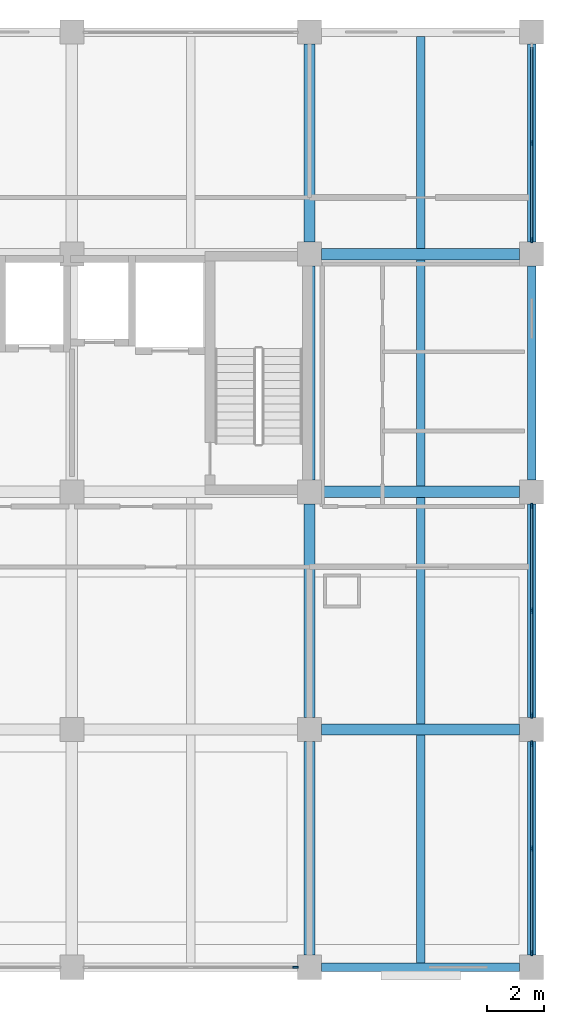
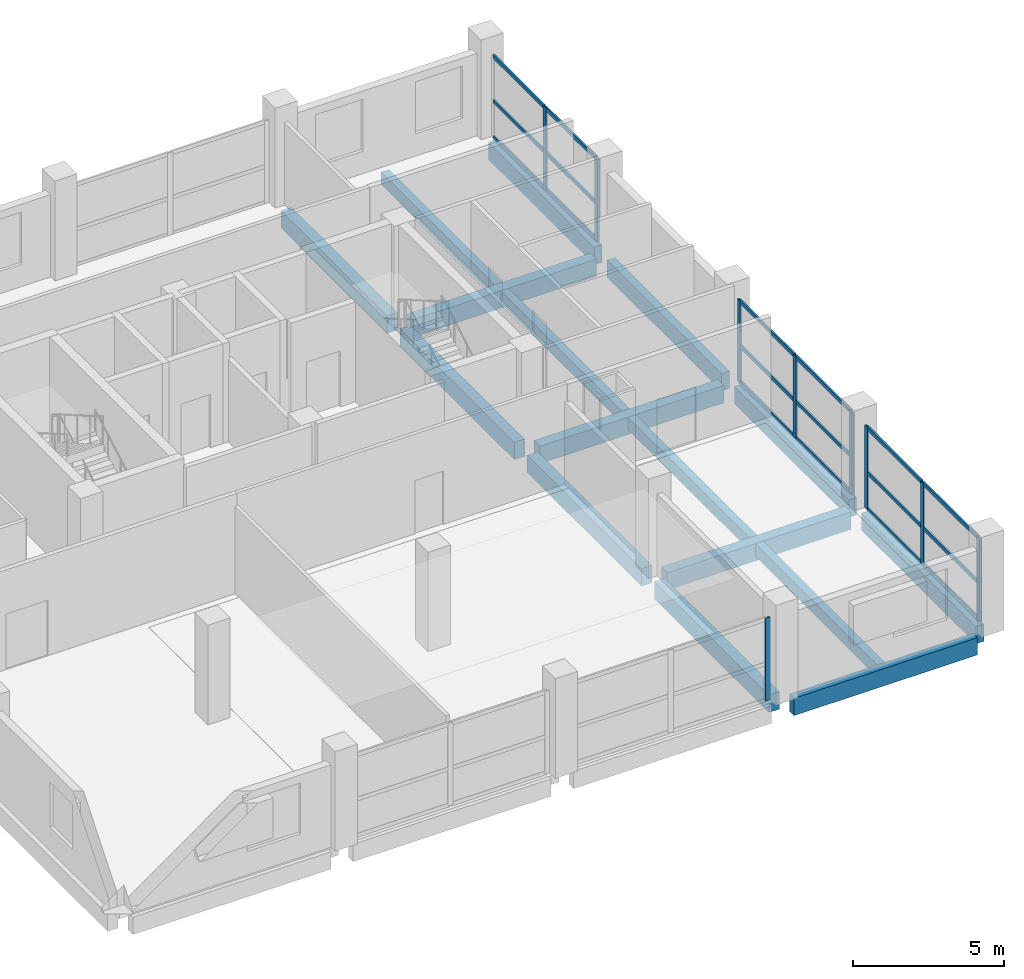
# One storey, part 4 of 9: 27 members, 16 beams, 4 elements without a shape of their own.
"""IFC4 building model written with IfcOpenShell, lengths in metres."""

from ifc_helpers import new_model, si_unit, direction, frame, origin, origin_2d, place, context, subcontext, project, spatial, rectangle, extrude, material, material_profile, profile_set, type_object, element, aggregate, save


model = new_model("IFC4")

# Units and contexts
model_context = context("Model", 3, precision=1e-05, world=origin(), true_north=direction((0.0, 1.0)))
body_context = subcontext(model_context, "Body", "Model", "MODEL_VIEW")
ifc_project = project(units=[si_unit("LENGTHUNIT", "METRE"), si_unit("AREAUNIT", "SQUARE_METRE"), si_unit("VOLUMEUNIT", "CUBIC_METRE"), si_unit("PLANEANGLEUNIT", "RADIAN"), si_unit("MASSUNIT", "GRAM", prefix="KILO")], contexts=[model_context])

# Site, building, storey
site_placement = place(None, origin())
site = spatial("IfcSite", under=ifc_project, at=site_placement, CompositionType="ELEMENT")
building_placement = place(site_placement, origin())
building = spatial("IfcBuilding", under=site, at=building_placement, Name="Brinegate Botanical Conservatory", CompositionType="ELEMENT")
storey_placement = place(building_placement, frame((0.0, 0.0, 31.800048828125)))
storey = spatial("IfcBuildingStorey", under=building, at=storey_placement, Name="L08", CompositionType="ELEMENT", Elevation=31.800048828125)

# Beams
ifc_material_1 = material(Name="Concrete C40/50", Category="concrete")
ifc_material_profile_1 = material_profile(ifc_material_1, rectangle(XDim=0.39990234375, YDim=0.699951171875, at=origin_2d()), Name="RC BM 400x700")
ifc_profile_set_1 = profile_set([ifc_material_profile_1], Name="Concrete C40/50")
beam_type_1 = type_object("IfcBeamType", Name="Beam_BM-T2", PredefinedType="BEAM", material=ifc_profile_set_1)
for number, where, z_axis, x_axis, name in (
    (1, (156.02490234375, 86.800048828125, -0.530029296875), (1.0, 0.0, 0.0), (0.0, 1.0, 0.0), "Beam BM-T2 L08 L:20-21"),
    (2, (156.02490234375, 95.199951171875, -0.530029296875), (1.0, 0.0, 0.0), (0.0, 1.0, 0.0), "Beam BM-T2 L08 M:20-21"),
    (3, (156.02490234375, 103.60009765625, -0.530029296875), (1.0, 0.0, 0.0), (0.0, 1.0, 0.0), "Beam BM-T2 L08 N:20-21"),
):
    element("IfcBeam", number, at=place(storey_placement, frame(where, z_axis=z_axis, x_axis=x_axis)), inside=storey, type_object=beam_type_1, Name=name, PredefinedType="BEAM", context=body_context, shape_type="SweptSolid", body=[
        extrude(rectangle(XDim=0.39990234375, YDim=0.699951171875, at=origin_2d()), origin(), (0.0, 0.0, 1.0), 7.0),
    ])
beam_1_placement = place(storey_placement, frame((155.60009765625, 78.824951171875, -0.530029296875), z_axis=(0.0, 1.0, 0.0), x_axis=(-1.0, 0.0, 0.0)))
element("IfcBeam", 4, at=beam_1_placement, inside=storey, type_object=beam_type_1, Name="Beam BM-T2 L08 20:K-L", PredefinedType="BEAM", context=body_context, shape_type="SweptSolid", body=[
    extrude(rectangle(XDim=0.39990234375, YDim=0.699951171875, at=origin_2d()), origin(), (0.0, 0.0, 1.0), 7.550048828125),
])
beam_2_placement = place(storey_placement, frame((155.60009765625, 87.22509765625, -0.530029296875), z_axis=(0.0, 1.0, 0.0), x_axis=(-1.0, 0.0, 0.0)))
element("IfcBeam", 5, at=beam_2_placement, inside=storey, type_object=beam_type_1, Name="Beam BM-T2 L08 20:L-M", PredefinedType="BEAM", context=body_context, shape_type="SweptSolid", body=[
    extrude(rectangle(XDim=0.39990234375, YDim=0.699951171875, at=origin_2d()), origin(), (0.0, 0.0, 1.0), 7.5498046875),
])
beam_3_placement = place(storey_placement, frame((155.60009765625, 95.625, -0.530029296875), z_axis=(0.0, 1.0, 0.0), x_axis=(-1.0, 0.0, 0.0)))
element("IfcBeam", 6, at=beam_3_placement, inside=storey, type_object=beam_type_1, Name="Beam BM-T2 L08 20:M-N", PredefinedType="BEAM", context=body_context, shape_type="SweptSolid", body=[
    extrude(rectangle(XDim=0.39990234375, YDim=0.699951171875, at=origin_2d()), origin(), (0.0, 0.0, 1.0), 7.550048828125),
])
beam_4_placement = place(storey_placement, frame((155.60009765625, 104.02490234375, -0.530029296875), z_axis=(0.0, 1.0, 0.0), x_axis=(-1.0, 0.0, 0.0)))
element("IfcBeam", 7, at=beam_4_placement, inside=storey, type_object=beam_type_1, Name="Beam BM-T2 L08 20:N-P", PredefinedType="BEAM", context=body_context, shape_type="SweptSolid", body=[
    extrude(rectangle(XDim=0.39990234375, YDim=0.699951171875, at=origin_2d()), origin(), (0.0, 0.0, 1.0), 7.0),
])
ifc_material_profile_2 = material_profile(ifc_material_1, rectangle(XDim=0.300048828125, YDim=0.5, at=origin_2d()), Name="RC JST 300x500")
ifc_profile_set_2 = profile_set([ifc_material_profile_2], Name="Concrete C40/50")
beam_type_2 = type_object("IfcBeamType", Name="Beam_JS-C2", PredefinedType="JOIST", material=ifc_profile_set_2)
beam_5_placement = place(storey_placement, frame((159.52490234375, 78.550048828125, -0.429931640625), z_axis=(0.0, 1.0, 0.0), x_axis=(-1.0, 0.0, 0.0)))
element("IfcBeam", 8, at=beam_5_placement, inside=storey, type_object=beam_type_2, Name="Floor joist JS-C2 L08 bay 20.10", PredefinedType="JOIST", context=body_context, shape_type="SweptSolid", body=[
    extrude(rectangle(XDim=0.300048828125, YDim=0.5, at=origin_2d()), origin(), (0.0, 0.0, 1.0), 8.050048828125),
])
for number, where, z_axis, x_axis, name in (
    (9, (159.52490234375, 87.0, -0.429931640625), (0.0, 1.0, 0.0), (-1.0, 0.0, 0.0), "Floor joist JS-C2 L08 bay 20.11"),
    (10, (159.52490234375, 95.39990234375, -0.429931640625), (0.0, 1.0, 0.0), (-1.0, 0.0, 0.0), "Floor joist JS-C2 L08 bay 20.12"),
):
    element("IfcBeam", number, at=place(storey_placement, frame(where, z_axis=z_axis, x_axis=x_axis)), inside=storey, type_object=beam_type_2, Name=name, PredefinedType="JOIST", context=body_context, shape_type="SweptSolid", body=[
        extrude(rectangle(XDim=0.300048828125, YDim=0.5, at=origin_2d()), origin(), (0.0, 0.0, 1.0), 8.0),
    ])
beam_6_placement = place(storey_placement, frame((159.52490234375, 103.800048828125, -0.429931640625), z_axis=(0.0, 1.0, 0.0), x_axis=(-1.0, 0.0, 0.0)))
element("IfcBeam", 11, at=beam_6_placement, inside=storey, type_object=beam_type_2, Name="Floor joist JS-C2 L08 bay 20.13", PredefinedType="JOIST", context=body_context, shape_type="SweptSolid", body=[
    extrude(rectangle(XDim=0.300048828125, YDim=0.5, at=origin_2d()), origin(), (0.0, 0.0, 1.0), 7.5),
])
ifc_material_profile_3 = material_profile(ifc_material_1, rectangle(XDim=0.300048828125, YDim=0.699951171875, at=origin_2d()), Name="RC SPN 300x700")
ifc_profile_set_3 = profile_set([ifc_material_profile_3], Name="Concrete C40/50")
beam_type_3 = type_object("IfcBeamType", Name="Beam_SP-02", PredefinedType="SPANDREL", material=ifc_profile_set_3)
beam_7_placement = place(storey_placement, frame((156.02490234375, 78.39990234375, -0.530029296875), z_axis=(1.0, 0.0, 0.0), x_axis=(0.0, 1.0, 0.0)))
element("IfcBeam", 12, at=beam_7_placement, inside=storey, type_object=beam_type_3, Name="Beam SP-02 L08 K:20-21", PredefinedType="SPANDREL", context=body_context, shape_type="SweptSolid", body=[
    extrude(rectangle(XDim=0.300048828125, YDim=0.699951171875, at=origin_2d()), origin(), (0.0, 0.0, 1.0), 7.0),
])
beam_8_placement = place(storey_placement, frame((163.449951171875, 78.824951171875, -0.530029296875), z_axis=(0.0, 1.0, 0.0), x_axis=(-1.0, 0.0, 0.0)))
element("IfcBeam", 13, at=beam_8_placement, inside=storey, type_object=beam_type_3, Name="Beam SP-02 L08 21:K-L", PredefinedType="SPANDREL", context=body_context, shape_type="SweptSolid", body=[
    extrude(rectangle(XDim=0.300048828125, YDim=0.699951171875, at=origin_2d()), origin(), (0.0, 0.0, 1.0), 7.550048828125),
])
beam_9_placement = place(storey_placement, frame((163.449951171875, 87.22509765625, -0.530029296875), z_axis=(0.0, 1.0, 0.0), x_axis=(-1.0, 0.0, 0.0)))
element("IfcBeam", 14, at=beam_9_placement, inside=storey, type_object=beam_type_3, Name="Beam SP-02 L08 21:L-M", PredefinedType="SPANDREL", context=body_context, shape_type="SweptSolid", body=[
    extrude(rectangle(XDim=0.300048828125, YDim=0.699951171875, at=origin_2d()), origin(), (0.0, 0.0, 1.0), 7.5498046875),
])
beam_10_placement = place(storey_placement, frame((163.449951171875, 95.625, -0.530029296875), z_axis=(0.0, 1.0, 0.0), x_axis=(-1.0, 0.0, 0.0)))
element("IfcBeam", 15, at=beam_10_placement, inside=storey, type_object=beam_type_3, Name="Beam SP-02 L08 21:M-N", PredefinedType="SPANDREL", context=body_context, shape_type="SweptSolid", body=[
    extrude(rectangle(XDim=0.300048828125, YDim=0.699951171875, at=origin_2d()), origin(), (0.0, 0.0, 1.0), 7.550048828125),
])
beam_11_placement = place(storey_placement, frame((163.449951171875, 104.02490234375, -0.530029296875), z_axis=(0.0, 1.0, 0.0), x_axis=(-1.0, 0.0, 0.0)))
element("IfcBeam", 16, at=beam_11_placement, inside=storey, type_object=beam_type_3, Name="Beam SP-02 L08 21:N-P", PredefinedType="SPANDREL", context=body_context, shape_type="SweptSolid", body=[
    extrude(rectangle(XDim=0.300048828125, YDim=0.699951171875, at=origin_2d()), origin(), (0.0, 0.0, 1.0), 7.0),
])

# Curtain wall, member
ifc_material_2 = material(Name="Thermally broken anodised aluminium AW-6063-T6", Category="aluminium")
curtain_wall_type = type_object("IfcCurtainWallType", Name="CW_CW-TW1", PredefinedType="USERDEFINED", material=ifc_material_2)
curtain_wall_1_placement = place(storey_placement, origin())
curtain_wall_1 = element("IfcCurtainWall", 17, at=curtain_wall_1_placement, inside=storey, type_object=curtain_wall_type, Name="Tower south curtain wall L08.3", ObjectType="FACTORY CURTAIN WALL", PredefinedType="USERDEFINED")
ifc_material_profile_4 = material_profile(ifc_material_2, rectangle(XDim=0.070068359375, YDim=0.199951171875, at=origin_2d()), Name="ALUM MULLION 70x200")
ifc_profile_set_4 = profile_set([ifc_material_profile_4], Name="Thermally broken anodised aluminium AW-6063-T6")
member_type_1 = type_object("IfcMemberType", Name="Member_ML-03", PredefinedType="MULLION", material=ifc_profile_set_4)
member_1_placement = place(storey_placement, frame((155.10009765625, 78.39990234375, 0.0), z_axis=(0.0, 0.0, 1.0), x_axis=(0.0, -1.0, 0.0)))
member_1 = element("IfcMember", 18, at=member_1_placement, type_object=member_type_1, Name="CW-TW1 mullion 1", PredefinedType="MULLION", context=body_context, shape_type="SweptSolid", body=[
    extrude(rectangle(XDim=0.070068359375, YDim=0.199951171875, at=origin_2d()), origin(), (0.0, 0.0, 1.0), 3.320068359375),
])
aggregate(curtain_wall_1, [member_1])

# Curtain wall, members
curtain_wall_2_placement = place(storey_placement, origin())
curtain_wall_2 = element("IfcCurtainWall", 19, at=curtain_wall_2_placement, inside=storey, type_object=curtain_wall_type, Name="Tower east curtain wall L08.1", ObjectType="FACTORY CURTAIN WALL", PredefinedType="USERDEFINED")
member_2_placement = place(storey_placement, frame((163.449951171875, 86.300048828125, 0.0), z_axis=(0.0, 0.0, 1.0), x_axis=(1.0, 0.0, 0.0)))
member_2 = element("IfcMember", 20, at=member_2_placement, type_object=member_type_1, Name="CW-TW1 mullion 1", PredefinedType="MULLION", context=body_context, shape_type="SweptSolid", body=[
    extrude(rectangle(XDim=0.070068359375, YDim=0.199951171875, at=origin_2d()), origin(), (0.0, 0.0, 1.0), 3.320068359375),
])
member_3_placement = place(storey_placement, frame((163.449951171875, 82.60009765625, 0.0), z_axis=(0.0, 0.0, 1.0), x_axis=(1.0, 0.0, 0.0)))
member_3 = element("IfcMember", 21, at=member_3_placement, type_object=member_type_1, Name="CW-TW1 mullion 2", PredefinedType="MULLION", context=body_context, shape_type="SweptSolid", body=[
    extrude(rectangle(XDim=0.070068359375, YDim=0.199951171875, at=origin_2d()), origin(), (0.0, 0.0, 1.0), 3.320068359375),
])
member_4_placement = place(storey_placement, frame((163.449951171875, 78.89990234375, 0.0), z_axis=(0.0, 0.0, 1.0), x_axis=(1.0, 0.0, 0.0)))
member_4 = element("IfcMember", 22, at=member_4_placement, type_object=member_type_1, Name="CW-TW1 mullion 3", PredefinedType="MULLION", context=body_context, shape_type="SweptSolid", body=[
    extrude(rectangle(XDim=0.070068359375, YDim=0.199951171875, at=origin_2d()), origin(), (0.0, 0.0, 1.0), 3.320068359375),
])

curtain_wall_3_placement = place(storey_placement, origin())
curtain_wall_3 = element("IfcCurtainWall", 23, at=curtain_wall_3_placement, inside=storey, type_object=curtain_wall_type, Name="Tower east curtain wall L08.2", ObjectType="FACTORY CURTAIN WALL", PredefinedType="USERDEFINED")
member_5_placement = place(storey_placement, frame((163.449951171875, 94.699951171875, 0.0), z_axis=(0.0, 0.0, 1.0), x_axis=(1.0, 0.0, 0.0)))
member_5 = element("IfcMember", 24, at=member_5_placement, type_object=member_type_1, Name="CW-TW1 mullion 1", PredefinedType="MULLION", context=body_context, shape_type="SweptSolid", body=[
    extrude(rectangle(XDim=0.070068359375, YDim=0.199951171875, at=origin_2d()), origin(), (0.0, 0.0, 1.0), 3.320068359375),
])
member_6_placement = place(storey_placement, frame((163.449951171875, 91.0, 0.0), z_axis=(0.0, 0.0, 1.0), x_axis=(1.0, 0.0, 0.0)))
member_6 = element("IfcMember", 25, at=member_6_placement, type_object=member_type_1, Name="CW-TW1 mullion 2", PredefinedType="MULLION", context=body_context, shape_type="SweptSolid", body=[
    extrude(rectangle(XDim=0.070068359375, YDim=0.199951171875, at=origin_2d()), origin(), (0.0, 0.0, 1.0), 3.320068359375),
])
member_7_placement = place(storey_placement, frame((163.449951171875, 87.300048828125, 0.0), z_axis=(0.0, 0.0, 1.0), x_axis=(1.0, 0.0, 0.0)))
member_7 = element("IfcMember", 26, at=member_7_placement, type_object=member_type_1, Name="CW-TW1 mullion 3", PredefinedType="MULLION", context=body_context, shape_type="SweptSolid", body=[
    extrude(rectangle(XDim=0.070068359375, YDim=0.199951171875, at=origin_2d()), origin(), (0.0, 0.0, 1.0), 3.320068359375),
])

curtain_wall_4_placement = place(storey_placement, origin())
curtain_wall_4 = element("IfcCurtainWall", 27, at=curtain_wall_4_placement, inside=storey, type_object=curtain_wall_type, Name="Tower east curtain wall L08.4", ObjectType="FACTORY CURTAIN WALL", PredefinedType="USERDEFINED")
member_8_placement = place(storey_placement, frame((163.449951171875, 107.52490234375, 0.0), z_axis=(0.0, 0.0, 1.0), x_axis=(1.0, 0.0, 0.0)))
member_8 = element("IfcMember", 28, at=member_8_placement, type_object=member_type_1, Name="CW-TW1 mullion 2", PredefinedType="MULLION", context=body_context, shape_type="SweptSolid", body=[
    extrude(rectangle(XDim=0.070068359375, YDim=0.199951171875, at=origin_2d()), origin(), (0.0, 0.0, 1.0), 3.320068359375),
])
member_9_placement = place(storey_placement, frame((163.449951171875, 104.10009765625, 0.0), z_axis=(0.0, 0.0, 1.0), x_axis=(1.0, 0.0, 0.0)))
member_9 = element("IfcMember", 29, at=member_9_placement, type_object=member_type_1, Name="CW-TW1 mullion 3", PredefinedType="MULLION", context=body_context, shape_type="SweptSolid", body=[
    extrude(rectangle(XDim=0.070068359375, YDim=0.199951171875, at=origin_2d()), origin(), (0.0, 0.0, 1.0), 3.320068359375),
])

# Member
ifc_material_profile_5 = material_profile(ifc_material_2, rectangle(XDim=0.070068359375, YDim=0.14990234375, at=origin_2d()), Name="ALUM TRANSOM 70x150")
ifc_profile_set_5 = profile_set([ifc_material_profile_5], Name="Thermally broken anodised aluminium AW-6063-T6")
member_type_2 = type_object("IfcMemberType", Name="Member_TR-03", PredefinedType="USERDEFINED", material=ifc_profile_set_5)
member_10_placement = place(storey_placement, frame((163.449951171875, 86.264892578125, 0.034912109375), z_axis=(0.0, -1.0, 0.0), x_axis=(1.0, 0.0, 0.0)))
member_10 = element("IfcMember", 30, at=member_10_placement, type_object=member_type_2, Name="CW-TW1 transom 1.1", ObjectType="TRANSOM", PredefinedType="USERDEFINED", context=body_context, shape_type="SweptSolid", body=[
    extrude(rectangle(XDim=0.070068359375, YDim=0.14990234375, at=origin_2d()), origin(), (0.0, 0.0, 1.0), 3.6298828125),
])

member_11_placement = place(storey_placement, frame((163.449951171875, 86.264892578125, 1.493896484375), z_axis=(0.0, -1.0, 0.0), x_axis=(1.0, 0.0, 0.0)))
member_11 = element("IfcMember", 31, at=member_11_placement, type_object=member_type_2, Name="CW-TW1 transom 1.2", ObjectType="TRANSOM", PredefinedType="USERDEFINED", context=body_context, shape_type="SweptSolid", body=[
    extrude(rectangle(XDim=0.070068359375, YDim=0.14990234375, at=origin_2d()), origin(), (0.0, 0.0, 1.0), 3.6298828125),
])

member_12_placement = place(storey_placement, frame((163.449951171875, 86.264892578125, 3.284912109375), z_axis=(0.0, -1.0, 0.0), x_axis=(1.0, 0.0, 0.0)))
member_12 = element("IfcMember", 32, at=member_12_placement, type_object=member_type_2, Name="CW-TW1 transom 1.3", ObjectType="TRANSOM", PredefinedType="USERDEFINED", context=body_context, shape_type="SweptSolid", body=[
    extrude(rectangle(XDim=0.070068359375, YDim=0.14990234375, at=origin_2d()), origin(), (0.0, 0.0, 1.0), 3.6298828125),
])

member_13_placement = place(storey_placement, frame((163.449951171875, 82.56494140625, 0.034912109375), z_axis=(0.0, -1.0, 0.0), x_axis=(1.0, 0.0, 0.0)))
member_13 = element("IfcMember", 33, at=member_13_placement, type_object=member_type_2, Name="CW-TW1 transom 2.1", ObjectType="TRANSOM", PredefinedType="USERDEFINED", context=body_context, shape_type="SweptSolid", body=[
    extrude(rectangle(XDim=0.070068359375, YDim=0.14990234375, at=origin_2d()), origin(), (0.0, 0.0, 1.0), 3.6298828125),
])

member_14_placement = place(storey_placement, frame((163.449951171875, 82.56494140625, 1.493896484375), z_axis=(0.0, -1.0, 0.0), x_axis=(1.0, 0.0, 0.0)))
member_14 = element("IfcMember", 34, at=member_14_placement, type_object=member_type_2, Name="CW-TW1 transom 2.2", ObjectType="TRANSOM", PredefinedType="USERDEFINED", context=body_context, shape_type="SweptSolid", body=[
    extrude(rectangle(XDim=0.070068359375, YDim=0.14990234375, at=origin_2d()), origin(), (0.0, 0.0, 1.0), 3.6298828125),
])

member_15_placement = place(storey_placement, frame((163.449951171875, 82.56494140625, 3.284912109375), z_axis=(0.0, -1.0, 0.0), x_axis=(1.0, 0.0, 0.0)))
member_15 = element("IfcMember", 35, at=member_15_placement, type_object=member_type_2, Name="CW-TW1 transom 2.3", ObjectType="TRANSOM", PredefinedType="USERDEFINED", context=body_context, shape_type="SweptSolid", body=[
    extrude(rectangle(XDim=0.070068359375, YDim=0.14990234375, at=origin_2d()), origin(), (0.0, 0.0, 1.0), 3.6298828125),
])

aggregate(curtain_wall_2, [member_2, member_3, member_4, member_10, member_11, member_12, member_13, member_14, member_15])

member_16_placement = place(storey_placement, frame((163.449951171875, 94.6650390625, 0.034912109375), z_axis=(0.0, -1.0, 0.0), x_axis=(1.0, 0.0, 0.0)))
member_16 = element("IfcMember", 36, at=member_16_placement, type_object=member_type_2, Name="CW-TW1 transom 1.1", ObjectType="TRANSOM", PredefinedType="USERDEFINED", context=body_context, shape_type="SweptSolid", body=[
    extrude(rectangle(XDim=0.070068359375, YDim=0.14990234375, at=origin_2d()), origin(), (0.0, 0.0, 1.0), 3.630126953125),
])

member_17_placement = place(storey_placement, frame((163.449951171875, 94.6650390625, 1.493896484375), z_axis=(0.0, -1.0, 0.0), x_axis=(1.0, 0.0, 0.0)))
member_17 = element("IfcMember", 37, at=member_17_placement, type_object=member_type_2, Name="CW-TW1 transom 1.2", ObjectType="TRANSOM", PredefinedType="USERDEFINED", context=body_context, shape_type="SweptSolid", body=[
    extrude(rectangle(XDim=0.070068359375, YDim=0.14990234375, at=origin_2d()), origin(), (0.0, 0.0, 1.0), 3.630126953125),
])

member_18_placement = place(storey_placement, frame((163.449951171875, 94.6650390625, 3.284912109375), z_axis=(0.0, -1.0, 0.0), x_axis=(1.0, 0.0, 0.0)))
member_18 = element("IfcMember", 38, at=member_18_placement, type_object=member_type_2, Name="CW-TW1 transom 1.3", ObjectType="TRANSOM", PredefinedType="USERDEFINED", context=body_context, shape_type="SweptSolid", body=[
    extrude(rectangle(XDim=0.070068359375, YDim=0.14990234375, at=origin_2d()), origin(), (0.0, 0.0, 1.0), 3.630126953125),
])

member_19_placement = place(storey_placement, frame((163.449951171875, 90.965087890625, 0.034912109375), z_axis=(0.0, -1.0, 0.0), x_axis=(1.0, 0.0, 0.0)))
member_19 = element("IfcMember", 39, at=member_19_placement, type_object=member_type_2, Name="CW-TW1 transom 2.1", ObjectType="TRANSOM", PredefinedType="USERDEFINED", context=body_context, shape_type="SweptSolid", body=[
    extrude(rectangle(XDim=0.070068359375, YDim=0.14990234375, at=origin_2d()), origin(), (0.0, 0.0, 1.0), 3.630126953125),
])

member_20_placement = place(storey_placement, frame((163.449951171875, 90.965087890625, 1.493896484375), z_axis=(0.0, -1.0, 0.0), x_axis=(1.0, 0.0, 0.0)))
member_20 = element("IfcMember", 40, at=member_20_placement, type_object=member_type_2, Name="CW-TW1 transom 2.2", ObjectType="TRANSOM", PredefinedType="USERDEFINED", context=body_context, shape_type="SweptSolid", body=[
    extrude(rectangle(XDim=0.070068359375, YDim=0.14990234375, at=origin_2d()), origin(), (0.0, 0.0, 1.0), 3.630126953125),
])

member_21_placement = place(storey_placement, frame((163.449951171875, 90.965087890625, 3.284912109375), z_axis=(0.0, -1.0, 0.0), x_axis=(1.0, 0.0, 0.0)))
member_21 = element("IfcMember", 41, at=member_21_placement, type_object=member_type_2, Name="CW-TW1 transom 2.3", ObjectType="TRANSOM", PredefinedType="USERDEFINED", context=body_context, shape_type="SweptSolid", body=[
    extrude(rectangle(XDim=0.070068359375, YDim=0.14990234375, at=origin_2d()), origin(), (0.0, 0.0, 1.0), 3.630126953125),
])

aggregate(curtain_wall_3, [member_5, member_6, member_7, member_16, member_17, member_18, member_19, member_20, member_21])

member_22_placement = place(storey_placement, frame((163.449951171875, 110.9150390625, 0.034912109375), z_axis=(0.0, -1.0, 0.0), x_axis=(1.0, 0.0, 0.0)))
member_22 = element("IfcMember", 42, at=member_22_placement, type_object=member_type_2, Name="CW-TW1 transom 1.1", ObjectType="TRANSOM", PredefinedType="USERDEFINED", context=body_context, shape_type="SweptSolid", body=[
    extrude(rectangle(XDim=0.070068359375, YDim=0.14990234375, at=origin_2d()), origin(), (0.0, 0.0, 1.0), 3.35498046875),
])

member_23_placement = place(storey_placement, frame((163.449951171875, 110.9150390625, 1.493896484375), z_axis=(0.0, -1.0, 0.0), x_axis=(1.0, 0.0, 0.0)))
member_23 = element("IfcMember", 43, at=member_23_placement, type_object=member_type_2, Name="CW-TW1 transom 1.2", ObjectType="TRANSOM", PredefinedType="USERDEFINED", context=body_context, shape_type="SweptSolid", body=[
    extrude(rectangle(XDim=0.070068359375, YDim=0.14990234375, at=origin_2d()), origin(), (0.0, 0.0, 1.0), 3.35498046875),
])

member_24_placement = place(storey_placement, frame((163.449951171875, 110.9150390625, 3.284912109375), z_axis=(0.0, -1.0, 0.0), x_axis=(1.0, 0.0, 0.0)))
member_24 = element("IfcMember", 44, at=member_24_placement, type_object=member_type_2, Name="CW-TW1 transom 1.3", ObjectType="TRANSOM", PredefinedType="USERDEFINED", context=body_context, shape_type="SweptSolid", body=[
    extrude(rectangle(XDim=0.070068359375, YDim=0.14990234375, at=origin_2d()), origin(), (0.0, 0.0, 1.0), 3.35498046875),
])

member_25_placement = place(storey_placement, frame((163.449951171875, 107.489990234375, 0.034912109375), z_axis=(0.0, -1.0, 0.0), x_axis=(1.0, 0.0, 0.0)))
member_25 = element("IfcMember", 45, at=member_25_placement, type_object=member_type_2, Name="CW-TW1 transom 2.1", ObjectType="TRANSOM", PredefinedType="USERDEFINED", context=body_context, shape_type="SweptSolid", body=[
    extrude(rectangle(XDim=0.070068359375, YDim=0.14990234375, at=origin_2d()), origin(), (0.0, 0.0, 1.0), 3.35498046875),
])

member_26_placement = place(storey_placement, frame((163.449951171875, 107.489990234375, 1.493896484375), z_axis=(0.0, -1.0, 0.0), x_axis=(1.0, 0.0, 0.0)))
member_26 = element("IfcMember", 46, at=member_26_placement, type_object=member_type_2, Name="CW-TW1 transom 2.2", ObjectType="TRANSOM", PredefinedType="USERDEFINED", context=body_context, shape_type="SweptSolid", body=[
    extrude(rectangle(XDim=0.070068359375, YDim=0.14990234375, at=origin_2d()), origin(), (0.0, 0.0, 1.0), 3.35498046875),
])

member_27_placement = place(storey_placement, frame((163.449951171875, 107.489990234375, 3.284912109375), z_axis=(0.0, -1.0, 0.0), x_axis=(1.0, 0.0, 0.0)))
member_27 = element("IfcMember", 47, at=member_27_placement, type_object=member_type_2, Name="CW-TW1 transom 2.3", ObjectType="TRANSOM", PredefinedType="USERDEFINED", context=body_context, shape_type="SweptSolid", body=[
    extrude(rectangle(XDim=0.070068359375, YDim=0.14990234375, at=origin_2d()), origin(), (0.0, 0.0, 1.0), 3.35498046875),
])

aggregate(curtain_wall_4, [member_8, member_9, member_22, member_23, member_24, member_25, member_26, member_27])

save(model, "model.ifc")
